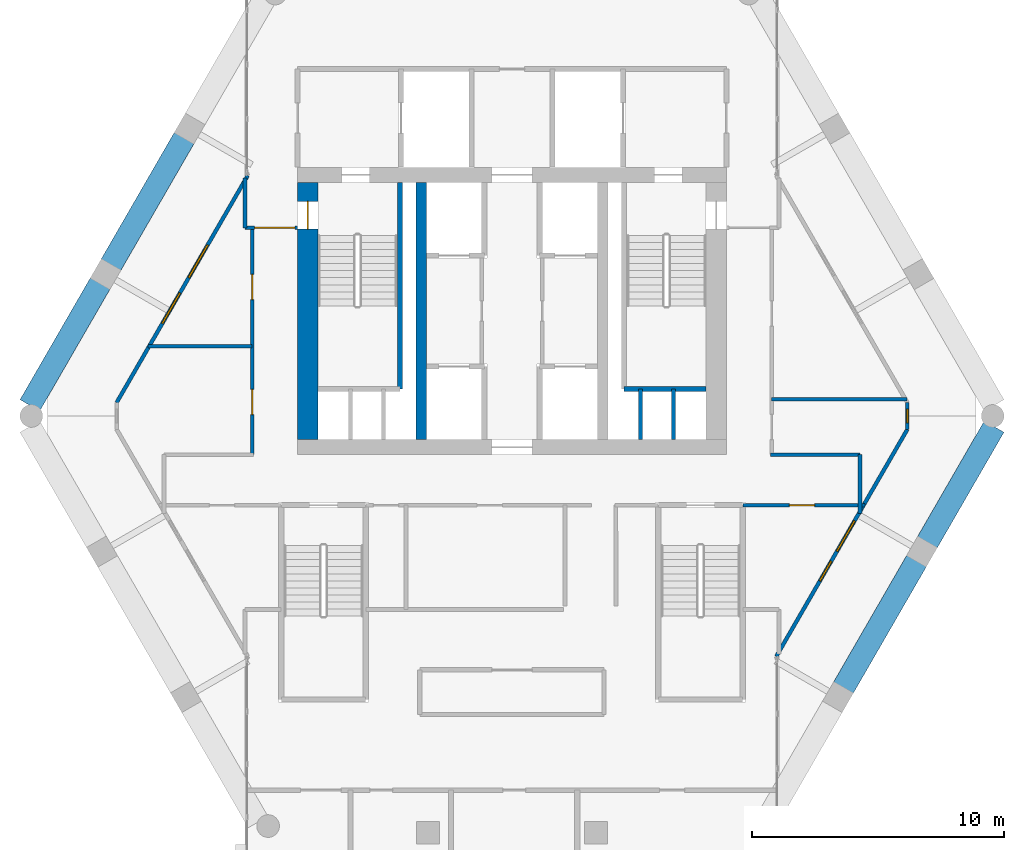
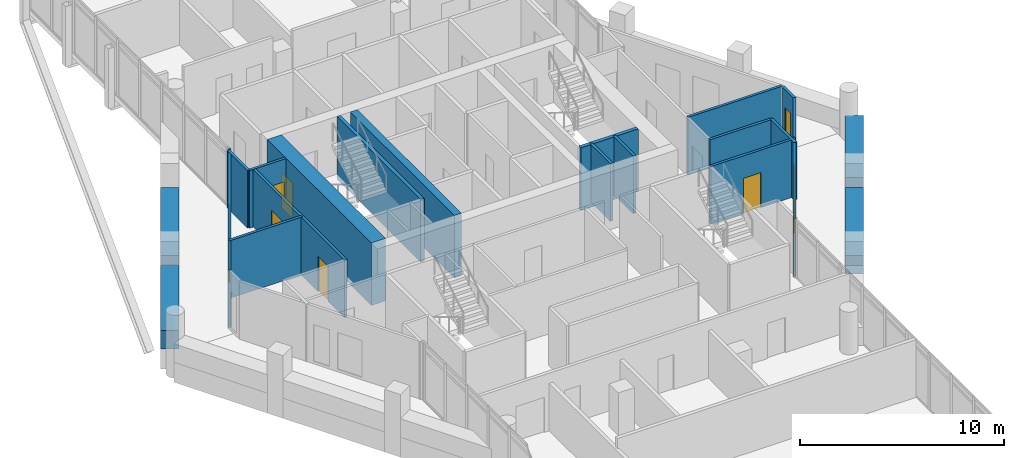
# One storey, part 30 of 34: 21 walls, 5 doors, 5 windows, 10 openings.
"""IFC4 building model written with IfcOpenShell, lengths in metres."""

from ifc_helpers import new_model, si_unit, direction, frame, frame_2d, origin, place, context, subcontext, project, spatial, rectangle, extrude, material, layer, layer_set, type_object, element, fill, save


model = new_model("IFC4")

# Units and contexts
model_context = context("Model", 3, precision=1e-05, world=origin(), true_north=direction((0.0, 1.0)))
body_context = subcontext(model_context, "Body", "Model", "MODEL_VIEW")
ifc_project = project(units=[si_unit("LENGTHUNIT", "METRE"), si_unit("AREAUNIT", "SQUARE_METRE"), si_unit("VOLUMEUNIT", "CUBIC_METRE"), si_unit("PLANEANGLEUNIT", "RADIAN"), si_unit("MASSUNIT", "GRAM", prefix="KILO")], contexts=[model_context])

# Site, building, storey
site_placement = place(None, origin())
site = spatial("IfcSite", under=ifc_project, at=site_placement, CompositionType="ELEMENT")
building_placement = place(site_placement, origin())
building = spatial("IfcBuilding", under=site, at=building_placement, Name="Ostrander Bayou Hotel Tower", CompositionType="ELEMENT")
storey_placement = place(building_placement, frame((0.0, 0.0, 222.0)))
storey = spatial("IfcBuildingStorey", under=building, at=storey_placement, Name="L55", CompositionType="ELEMENT", Elevation=222.0)

# Wall, opening, door
ifc_material_1 = material(Name="Concrete f'c 60 MPa", Category="concrete")
ifc_layer_1 = layer(ifc_material_1, 0.800048828125)
ifc_layer_set_1 = layer_set([ifc_layer_1], Name="CW11 core spine wall 800 mm f'c 60 MPa")
wall_type_1 = type_object("IfcWallType", Name="CW11 core spine wall 800 mm f'c 60 MPa", PredefinedType="SHEAR", material=ifc_layer_set_1)
wall_1_placement = place(storey_placement, frame((-8.10009765625, -1.10009765625, -0.300048828125), z_axis=(0.0, 0.0, 1.0), x_axis=(0.0, 1.0, 0.0)))
wall_1 = element("IfcWall", 1, at=wall_1_placement, inside=storey, type_object=wall_type_1, Name="CW11 L55 W", PredefinedType="SHEAR", context=body_context, shape_type="SweptSolid", body=[
    extrude(rectangle(XDim=10.2001953125, YDim=0.800048828125, at=frame_2d((5.10009765625, 0.0))), origin(), (0.0, 0.0, 1.0), 3.75),
])
opening_1_placement = place(wall_1_placement, frame((8.35009765625, 0.0, 0.0)))
opening_1 = element("IfcOpeningElement", 2, at=opening_1_placement, cuts=wall_1, Name="Opening T55-008", PredefinedType="OPENING", context=body_context, shape_type="SweptSolid", body=[
    extrude(rectangle(XDim=1.10009765625, YDim=2.10009765625, at=frame_2d((0.550048828125, 1.050048828125))), frame((0.0, 0.39990234375, 0.0), z_axis=(0.0, -1.0, 0.0), x_axis=(1.0, 0.0, 0.0)), (0.0, 0.0, 1.0), 0.800048828125),
])
ifc_material_2 = material(Name="Timber door leaf", Category="wood")
door_type_1 = type_object("IfcDoorType", Name="D5 stair door 1100 x 2100 mm, 90 minute", OperationType="SINGLE_SWING_LEFT", PredefinedType="DOOR", material=ifc_material_2)
door_1_placement = place(opening_1_placement, origin())
door_1 = element("IfcDoor", 3, at=door_1_placement, inside=storey, type_object=door_type_1, Name="dr:L55:008", OperationType="SINGLE_SWING_RIGHT", OverallHeight=2.10009765625, OverallWidth=1.10009765625, PredefinedType="DOOR", context=body_context, shape_type="SweptSolid", body=[
    extrude(rectangle(XDim=1.10009765625, YDim=2.10009765625, at=frame_2d((0.550048828125, 1.050048828125))), frame((0.0, 0.02490234375, 0.0), z_axis=(0.0, -1.0, 0.0), x_axis=(1.0, 0.0, 0.0)), (0.0, 0.0, 1.0), 0.050048828125),
])
fill(opening_1, door_1)

# Wall
ifc_material_3 = material(Name="Concrete f'c 60 MPa", Category="concrete")
ifc_layer_2 = layer(ifc_material_3, 0.39990234375)
ifc_layer_set_2 = layer_set([ifc_layer_2], Name="CW12 core bank wall 400 mm f'c 60 MPa")
wall_type_2 = type_object("IfcWallType", Name="CW12 core bank wall 400 mm f'c 60 MPa", PredefinedType="SHEAR", material=ifc_layer_set_2)
wall_2_placement = place(storey_placement, frame((-3.60009765625, -1.10009765625, -0.300048828125), z_axis=(0.0, 0.0, 1.0), x_axis=(0.0, 1.0, 0.0)))
element("IfcWall", 4, at=wall_2_placement, inside=storey, type_object=wall_type_2, Name="CW12 L55 CW", PredefinedType="SHEAR", context=body_context, shape_type="SweptSolid", body=[
    extrude(rectangle(XDim=10.2001953125, YDim=0.39990234375, at=frame_2d((5.10009765625, 0.0))), origin(), (0.0, 0.0, 1.0), 3.75),
])

# Wall, openings, windows
ifc_material_4 = material(Name="Aluminium framed insulated wall", Category="aluminium")
ifc_layer_3 = layer(ifc_material_4, 0.14990234375)
ifc_layer_set_3 = layer_set([ifc_layer_3], Name="GW1 glass-line wall 150 mm")
wall_type_3 = type_object("IfcWallType", Name="GW1 glass-line wall 150 mm", PredefinedType="SOLIDWALL", material=ifc_layer_set_3)
wall_3_placement = place(storey_placement, frame((-10.47900390625, 9.37255859375, 0.0), z_axis=(0.0, 0.0, 1.0), x_axis=(-0.49999822861, -0.866026426494, 0.0)))
wall_3 = element("IfcWall", 5, at=wall_3_placement, inside=storey, type_object=wall_type_3, Name="GW1 L55 NW 1", PredefinedType="SOLIDWALL", context=body_context, shape_type="SweptSolid", body=[
    extrude(rectangle(XDim=10.396484375, YDim=0.14990234375, at=frame_2d((5.1982421875, 0.0))), origin(), (0.0, 0.0, 1.0), 3.449951171875),
])
opening_2_placement = place(wall_3_placement, frame((3.177490234375, 0.0, 0.14990234375)))
opening_2 = element("IfcOpeningElement", 6, at=opening_2_placement, cuts=wall_3, Name="Opening W10", PredefinedType="OPENING", context=body_context, shape_type="SweptSolid", body=[
    extrude(rectangle(XDim=1.5, YDim=2.199951171875, at=frame_2d((0.75, 1.10009765625))), frame((0.0, 0.074951171875, 0.0), z_axis=(0.0, -1.0, 0.0), x_axis=(1.0, 0.0, 0.0)), (0.0, 0.0, 1.0), 0.14990234375),
])
opening_3_placement = place(wall_3_placement, frame((5.37744140625, 0.0, 0.14990234375)))
opening_3 = element("IfcOpeningElement", 7, at=opening_3_placement, cuts=wall_3, Name="Opening W14", PredefinedType="OPENING", context=body_context, shape_type="SweptSolid", body=[
    extrude(rectangle(XDim=1.39990234375, YDim=2.199951171875, at=frame_2d((0.699951171875, 1.10009765625))), frame((0.0, 0.074951171875, 0.0), z_axis=(0.0, -1.0, 0.0), x_axis=(1.0, 0.0, 0.0)), (0.0, 0.0, 1.0), 0.14990234375),
])
ifc_material_5 = material(Name="Aluminium and clear glass", Category="aluminium")
window_type_1 = type_object("IfcWindowType", Name="W10 fixed window 1500 mm, bar storeys, zone 4", PartitioningType="SINGLE_PANEL", PredefinedType="WINDOW", material=ifc_material_5)
window_1_placement = place(opening_2_placement, origin())
window_1 = element("IfcWindow", 8, at=window_1_placement, inside=storey, type_object=window_type_1, Name="W10 L55 NW 3", OverallHeight=2.199951171875, OverallWidth=1.5, PartitioningType="SINGLE_PANEL", PredefinedType="WINDOW", context=body_context, shape_type="SweptSolid", body=[
    extrude(rectangle(XDim=1.5, YDim=2.199951171875, at=frame_2d((0.75, 1.10009765625))), frame((0.0, 0.030029296875, 0.0), z_axis=(0.0, -1.0, 0.0), x_axis=(1.0, 0.0, 0.0)), (0.0, 0.0, 1.0), 0.06005859375),
])
fill(opening_2, window_1)
ifc_material_6 = material(Name="Aluminium and clear glass", Category="aluminium")
window_type_2 = type_object("IfcWindowType", Name="W14 fixed window 1400 mm, bath bay, zone 4", PartitioningType="SINGLE_PANEL", PredefinedType="WINDOW", material=ifc_material_6)
window_2_placement = place(opening_3_placement, origin())
window_2 = element("IfcWindow", 9, at=window_2_placement, inside=storey, type_object=window_type_2, Name="W14 L55 NW 3", OverallHeight=2.199951171875, OverallWidth=1.39990234375, PartitioningType="SINGLE_PANEL", PredefinedType="WINDOW", context=body_context, shape_type="SweptSolid", body=[
    extrude(rectangle(XDim=1.39990234375, YDim=2.199951171875, at=frame_2d((0.699951171875, 1.10009765625))), frame((0.0, 0.030029296875, 0.0), z_axis=(0.0, -1.0, 0.0), x_axis=(1.0, 0.0, 0.0)), (0.0, 0.0, 1.0), 0.06005859375),
])
fill(opening_3, window_2)

wall_4_placement = place(storey_placement, frame((10.47900390625, -9.699951171875, 0.0), z_axis=(0.0, 0.0, 1.0), x_axis=(0.49999822861, 0.866026426494, 0.0)))
wall_4 = element("IfcWall", 10, at=wall_4_placement, inside=storey, type_object=wall_type_3, Name="GW1 L55 SE 1", PredefinedType="SOLIDWALL", context=body_context, shape_type="SweptSolid", body=[
    extrude(rectangle(XDim=10.396484375, YDim=0.14990234375, at=frame_2d((5.1982421875, 0.0))), origin(), (0.0, 0.0, 1.0), 3.449951171875),
])
opening_4_placement = place(wall_4_placement, frame((3.4609375, 0.0, 0.14990234375)))
opening_4 = element("IfcOpeningElement", 11, at=opening_4_placement, cuts=wall_4, Name="Opening W18", PredefinedType="OPENING", context=body_context, shape_type="SweptSolid", body=[
    extrude(rectangle(XDim=0.89990234375, YDim=2.199951171875, at=frame_2d((0.449951171875, 1.10009765625))), frame((0.0, 0.074951171875, 0.0), z_axis=(0.0, -1.0, 0.0), x_axis=(1.0, 0.0, 0.0)), (0.0, 0.0, 1.0), 0.14990234375),
])
opening_5_placement = place(wall_4_placement, frame((4.81396484375, 0.0, 0.14990234375)))
opening_5 = element("IfcOpeningElement", 12, at=opening_5_placement, cuts=wall_4, Name="Opening W14", PredefinedType="OPENING", context=body_context, shape_type="SweptSolid", body=[
    extrude(rectangle(XDim=1.39990234375, YDim=2.199951171875, at=frame_2d((0.699951171875, 1.10009765625))), frame((0.0, 0.074951171875, 0.0), z_axis=(0.0, -1.0, 0.0), x_axis=(1.0, 0.0, 0.0)), (0.0, 0.0, 1.0), 0.14990234375),
])
window_3_placement = place(opening_5_placement, origin())
window_3 = element("IfcWindow", 13, at=window_3_placement, inside=storey, type_object=window_type_2, Name="W14 L55 SE 2", OverallHeight=2.199951171875, OverallWidth=1.39990234375, PartitioningType="SINGLE_PANEL", PredefinedType="WINDOW", context=body_context, shape_type="SweptSolid", body=[
    extrude(rectangle(XDim=1.39990234375, YDim=2.199951171875, at=frame_2d((0.699951171875, 1.10009765625))), frame((0.0, 0.030029296875, 0.0), z_axis=(0.0, -1.0, 0.0), x_axis=(1.0, 0.0, 0.0)), (0.0, 0.0, 1.0), 0.06005859375),
])
fill(opening_5, window_3)
ifc_material_7 = material(Name="Aluminium and clear glass", Category="aluminium")
window_type_3 = type_object("IfcWindowType", Name="W18 window 900 mm, zone 4", PartitioningType="SINGLE_PANEL", PredefinedType="WINDOW", material=ifc_material_7)
window_4_placement = place(opening_4_placement, origin())
window_4 = element("IfcWindow", 14, at=window_4_placement, inside=storey, type_object=window_type_3, Name="W18 L55 SE 2", OverallHeight=2.199951171875, OverallWidth=0.89990234375, PartitioningType="SINGLE_PANEL", PredefinedType="WINDOW", context=body_context, shape_type="SweptSolid", body=[
    extrude(rectangle(XDim=0.89990234375, YDim=2.199951171875, at=frame_2d((0.449951171875, 1.10009765625))), frame((0.0, 0.030029296875, 0.0), z_axis=(0.0, -1.0, 0.0), x_axis=(1.0, 0.0, 0.0)), (0.0, 0.0, 1.0), 0.06005859375),
])
fill(opening_4, window_4)

# Wall, opening, window
wall_5_placement = place(storey_placement, frame((15.67724609375, -0.6962890625, 0.0), z_axis=(0.0, 0.0, 1.0), x_axis=(0.0, 1.0, 0.0)))
wall_5 = element("IfcWall", 15, at=wall_5_placement, inside=storey, type_object=wall_type_3, Name="GW1 L55 corner 5", PredefinedType="SOLIDWALL", context=body_context, shape_type="SweptSolid", body=[
    extrude(rectangle(XDim=1.065185546875, YDim=0.14990234375, at=frame_2d((0.53271484375, 0.0))), origin(), (0.0, 0.0, 1.0), 3.449951171875),
])
opening_6_placement = place(wall_5_placement, frame((0.257568359375, 0.0, 0.14990234375)))
opening_6 = element("IfcOpeningElement", 16, at=opening_6_placement, cuts=wall_5, Name="Opening W19", PredefinedType="OPENING", context=body_context, shape_type="SweptSolid", body=[
    extrude(rectangle(XDim=0.550048828125, YDim=2.199951171875, at=frame_2d((0.27490234375, 1.10009765625))), frame((0.0, 0.074951171875, 0.0), z_axis=(0.0, -1.0, 0.0), x_axis=(1.0, 0.0, 0.0)), (0.0, 0.0, 1.0), 0.14990234375),
])
ifc_material_8 = material(Name="Aluminium and clear glass", Category="aluminium")
window_type_4 = type_object("IfcWindowType", Name="W19 corner window 550 mm", PartitioningType="SINGLE_PANEL", PredefinedType="WINDOW", material=ifc_material_8)
window_5_placement = place(opening_6_placement, origin())
window_5 = element("IfcWindow", 17, at=window_5_placement, inside=storey, type_object=window_type_4, Name="W19 L55 corner 5", OverallHeight=2.199951171875, OverallWidth=0.550048828125, PartitioningType="SINGLE_PANEL", PredefinedType="WINDOW", context=body_context, shape_type="SweptSolid", body=[
    extrude(rectangle(XDim=0.550048828125, YDim=2.199951171875, at=frame_2d((0.27490234375, 1.10009765625))), frame((0.0, 0.030029296875, 0.0), z_axis=(0.0, -1.0, 0.0), x_axis=(1.0, 0.0, 0.0)), (0.0, 0.0, 1.0), 0.06005859375),
])
fill(opening_6, window_5)

# Walls
ifc_material_9 = material(Name="Concrete f'c 40 MPa", Category="concrete")
ifc_layer_4 = layer(ifc_material_9, 0.89990234375)
ifc_layer_set_4 = layer_set([ifc_layer_4], Name="PA1 stone-faced parapet 900 mm")
wall_type_4 = type_object("IfcWallType", Name="PA1 stone-faced parapet 900 mm", PredefinedType="PARAPET", material=ifc_layer_set_4)
wall_6_placement = place(storey_placement, frame((-12.99609375, 10.86279296875, 0.0), z_axis=(0.0, 0.0, 1.0), x_axis=(-0.499997265274, -0.866026982673, 0.0)))
element("IfcWall", 18, at=wall_6_placement, inside=storey, type_object=wall_type_4, Name="PA1 L55 NW-2", PredefinedType="PARAPET", context=body_context, shape_type="SweptSolid", body=[
    extrude(rectangle(XDim=5.81884765625, YDim=0.89990234375, at=frame_2d((2.909423828125, 0.0))), origin(), (0.0, 0.0, 1.0), 1.10009765625),
])
wall_7_placement = place(storey_placement, frame((-16.325439453125, 5.09619140625, 0.0), z_axis=(0.0, 0.0, 1.0), x_axis=(-0.500007442593, -0.866021106759, 0.0)))
element("IfcWall", 19, at=wall_7_placement, inside=storey, type_object=wall_type_4, Name="PA1 L55 NW-3", PredefinedType="PARAPET", context=body_context, shape_type="SweptSolid", body=[
    extrude(rectangle(XDim=5.58642578125, YDim=0.89990234375, at=frame_2d((2.793212890625, 0.0))), origin(), (0.0, 0.0, 1.0), 1.10009765625),
])
ifc_material_10 = material(Name="Limestone masonry", Category="masonry")
ifc_layer_5 = layer(ifc_material_10, 0.89990234375)
ifc_layer_set_5 = layer_set([ifc_layer_5], Name="PA2 limestone parapet 900 mm")
wall_type_5 = type_object("IfcWallType", Name="PA2 limestone parapet 900 mm", PredefinedType="PARAPET", material=ifc_layer_set_5)
wall_8_placement = place(storey_placement, frame((13.1376953125, -10.944580078125, 0.0), z_axis=(0.0, 0.0, 1.0), x_axis=(0.500015433515, 0.866016493057, 0.0)))
element("IfcWall", 20, at=wall_8_placement, inside=storey, type_object=wall_type_5, Name="PA2 L55 SE-2", PredefinedType="PARAPET", context=body_context, shape_type="SweptSolid", body=[
    extrude(rectangle(XDim=5.818603515625, YDim=0.89990234375, at=frame_2d((2.9091796875, 0.0))), origin(), (0.0, 0.0, 1.0), 1.10009765625),
])
wall_9_placement = place(storey_placement, frame((16.46728515625, -5.177978515625, 0.0), z_axis=(0.0, 0.0, 1.0), x_axis=(0.500001430823, 0.866024577697, 0.0)))
element("IfcWall", 21, at=wall_9_placement, inside=storey, type_object=wall_type_5, Name="PA2 L55 SE-3", PredefinedType="PARAPET", context=body_context, shape_type="SweptSolid", body=[
    extrude(rectangle(XDim=5.302734375, YDim=0.89990234375, at=frame_2d((2.6513671875, 0.0))), origin(), (0.0, 0.0, 1.0), 1.10009765625),
])
ifc_material_11 = material(Name="Gypsum board partition", Category="finish")
ifc_layer_6 = layer(ifc_material_11, 0.14990234375)
ifc_layer_set_6 = layer_set([ifc_layer_6], Name="PT7 riser wall 150 mm, 2 hour")
wall_type_6 = type_object("IfcWallType", Name="PT7 riser wall 150 mm, 2 hour", PredefinedType="PARTITIONING", material=ifc_layer_set_6)
for number, where, z_axis, x_axis, name in (
    (22, (5.10009765625, -1.10009765625, 0.0), (0.0, 0.0, 1.0), (0.0, 1.0, 0.0), "cs:L55:015"),
    (23, (6.39990234375, -1.10009765625, 0.0), (0.0, 0.0, 1.0), (0.0, 1.0, 0.0), "cs:L55:016"),
):
    element("IfcWall", number, at=place(storey_placement, frame(where, z_axis=z_axis, x_axis=x_axis)), inside=storey, type_object=wall_type_6, Name=name, PredefinedType="PARTITIONING", context=body_context, shape_type="SweptSolid", body=[
        extrude(rectangle(XDim=2.0, YDim=0.14990234375, at=frame_2d((1.0, 0.0))), origin(), (0.0, 0.0, 1.0), 3.449951171875),
    ])

# Wall, opening, door
ifc_material_12 = material(Name="Gypsum board partition", Category="finish")
ifc_layer_7 = layer(ifc_material_12, 0.14990234375)
ifc_layer_set_7 = layer_set([ifc_layer_7], Name="PT8 service band wall 150 mm, 1 hour")
wall_type_7 = type_object("IfcWallType", Name="PT8 service band wall 150 mm, 1 hour", PredefinedType="PARTITIONING", material=ifc_layer_set_7)
wall_10_placement = place(storey_placement, frame((9.159912109375, -3.699951171875, 0.0), z_axis=(0.0, 0.0, 1.0), x_axis=(1.0, 0.0, 0.0)))
wall_10 = element("IfcWall", 24, at=wall_10_placement, inside=storey, type_object=wall_type_7, Name="gw:L55:007", PredefinedType="PARTITIONING", context=body_context, shape_type="SweptSolid", body=[
    extrude(rectangle(XDim=4.835205078125, YDim=0.14990234375, at=frame_2d((2.41748046875, 0.0))), origin(), (0.0, 0.0, 1.0), 3.449951171875),
])
opening_7_placement = place(wall_10_placement, frame((1.840087890625, 0.0, 0.0)))
opening_7 = element("IfcOpeningElement", 25, at=opening_7_placement, cuts=wall_10, Name="Opening T55-403", PredefinedType="OPENING", context=body_context, shape_type="SweptSolid", body=[
    extrude(rectangle(XDim=1.0, YDim=2.10009765625, at=frame_2d((0.5, 1.050048828125))), frame((0.0, 0.074951171875, 0.0), z_axis=(0.0, -1.0, 0.0), x_axis=(1.0, 0.0, 0.0)), (0.0, 0.0, 1.0), 0.14990234375),
])
ifc_material_13 = material(Name="Timber door leaf", Category="wood")
door_type_2 = type_object("IfcDoorType", Name="D9 service door 1000 x 2100 mm, 30 minute", OperationType="SINGLE_SWING_LEFT", PredefinedType="DOOR", material=ifc_material_13)
door_2_placement = place(opening_7_placement, origin())
door_2 = element("IfcDoor", 26, at=door_2_placement, inside=storey, type_object=door_type_2, Name="dr:L55:403", OperationType="SINGLE_SWING_LEFT", OverallHeight=2.10009765625, OverallWidth=1.0, PredefinedType="DOOR", context=body_context, shape_type="SweptSolid", body=[
    extrude(rectangle(XDim=1.0, YDim=2.10009765625, at=frame_2d((0.5, 1.050048828125))), frame((0.0, 0.02490234375, 0.0), z_axis=(0.0, -1.0, 0.0), x_axis=(1.0, 0.0, 0.0)), (0.0, 0.0, 1.0), 0.050048828125),
])
fill(opening_7, door_2)

# Walls
wall_11_placement = place(storey_placement, frame((10.260009765625, -1.699951171875, 0.0), z_axis=(0.0, 0.0, 1.0), x_axis=(1.0, 0.0, 0.0)))
element("IfcWall", 27, at=wall_11_placement, inside=storey, type_object=wall_type_7, Name="gw:L55:009", PredefinedType="PARTITIONING", context=body_context, shape_type="SweptSolid", body=[
    extrude(rectangle(XDim=3.5400390625, YDim=0.14990234375, at=frame_2d((1.77001953125, 0.0))), origin(), (0.0, 0.0, 1.0), 3.449951171875),
])
wall_12_placement = place(storey_placement, frame((10.300048828125, 0.5, 0.0), z_axis=(0.0, 0.0, 1.0), x_axis=(1.0, 0.0, 0.0)))
element("IfcWall", 28, at=wall_12_placement, inside=storey, type_object=wall_type_7, Name="gw:L55:010", PredefinedType="PARTITIONING", context=body_context, shape_type="SweptSolid", body=[
    extrude(rectangle(XDim=5.35400390625, YDim=0.14990234375, at=frame_2d((2.677001953125, 0.0))), origin(), (0.0, 0.0, 1.0), 3.449951171875),
])
wall_13_placement = place(storey_placement, frame((-14.44091796875, 2.60009765625, 0.0), z_axis=(0.0, 0.0, 1.0), x_axis=(1.0, 0.0, 0.0)))
element("IfcWall", 29, at=wall_13_placement, inside=storey, type_object=wall_type_7, Name="gw:L55:011", PredefinedType="PARTITIONING", context=body_context, shape_type="SweptSolid", body=[
    extrude(rectangle(XDim=4.140869140625, YDim=0.14990234375, at=frame_2d((2.0703125, 0.0))), origin(), (0.0, 0.0, 1.0), 3.449951171875),
])

# Wall, opening, door
wall_14_placement = place(storey_placement, frame((-10.5849609375, 7.300048828125, 0.0), z_axis=(0.0, 0.0, 1.0), x_axis=(1.0, 0.0, 0.0)))
wall_14 = element("IfcWall", 30, at=wall_14_placement, inside=storey, type_object=wall_type_7, Name="gw:L55:012", PredefinedType="PARTITIONING", context=body_context, shape_type="SweptSolid", body=[
    extrude(rectangle(XDim=2.074951171875, YDim=0.14990234375, at=frame_2d((1.03759765625, 0.0))), origin(), (0.0, 0.0, 1.0), 3.449951171875),
])
opening_8_placement = place(wall_14_placement, frame((0.375, 0.0, 0.0)))
opening_8 = element("IfcOpeningElement", 31, at=opening_8_placement, cuts=wall_14, Name="Opening T55-1212", PredefinedType="OPENING", context=body_context, shape_type="SweptSolid", body=[
    extrude(rectangle(XDim=1.60009765625, YDim=2.10009765625, at=frame_2d((0.800048828125, 1.050048828125))), frame((0.0, 0.074951171875, 0.0), z_axis=(0.0, -1.0, 0.0), x_axis=(1.0, 0.0, 0.0)), (0.0, 0.0, 1.0), 0.14990234375),
])
ifc_material_14 = material(Name="Timber door leaf", Category="wood")
door_type_3 = type_object("IfcDoorType", Name="D13 double door 1600 x 2100 mm, 1 hour", OperationType="SINGLE_SWING_LEFT", PredefinedType="DOOR", material=ifc_material_14)
door_3_placement = place(opening_8_placement, origin())
door_3 = element("IfcDoor", 32, at=door_3_placement, inside=storey, type_object=door_type_3, Name="dr:L55:1212", OperationType="DOUBLE_DOOR_SINGLE_SWING", OverallHeight=2.10009765625, OverallWidth=1.60009765625, PredefinedType="DOOR", context=body_context, shape_type="SweptSolid", body=[
    extrude(rectangle(XDim=1.60009765625, YDim=2.10009765625, at=frame_2d((0.800048828125, 1.050048828125))), frame((0.0, 0.02490234375, 0.0), z_axis=(0.0, -1.0, 0.0), x_axis=(1.0, 0.0, 0.0)), (0.0, 0.0, 1.0), 0.050048828125),
])
fill(opening_8, door_3)

# Wall
wall_15_placement = place(storey_placement, frame((13.800048828125, -4.0380859375, 0.0), z_axis=(0.0, 0.0, 1.0), x_axis=(0.0, 1.0, 0.0)))
element("IfcWall", 33, at=wall_15_placement, inside=storey, type_object=wall_type_7, Name="gw:L55:014", PredefinedType="PARTITIONING", context=body_context, shape_type="SweptSolid", body=[
    extrude(rectangle(XDim=2.338134765625, YDim=0.14990234375, at=frame_2d((1.1689453125, 0.0))), origin(), (0.0, 0.0, 1.0), 3.449951171875),
])

# Wall, openings, doors
wall_16_placement = place(storey_placement, frame((-10.300048828125, -1.699951171875, 0.0), z_axis=(0.0, 0.0, 1.0), x_axis=(0.0, 1.0, 0.0)))
wall_16 = element("IfcWall", 34, at=wall_16_placement, inside=storey, type_object=wall_type_7, Name="gw:L55:020", PredefinedType="PARTITIONING", context=body_context, shape_type="SweptSolid", body=[
    extrude(rectangle(XDim=9.0, YDim=0.14990234375, at=frame_2d((4.5, 0.0))), origin(), (0.0, 0.0, 1.0), 3.449951171875),
])
opening_9_placement = place(wall_16_placement, frame((1.587890625, 0.0, 0.0)))
opening_9 = element("IfcOpeningElement", 35, at=opening_9_placement, cuts=wall_16, Name="Opening T55-404", PredefinedType="OPENING", context=body_context, shape_type="SweptSolid", body=[
    extrude(rectangle(XDim=1.0, YDim=2.10009765625, at=frame_2d((0.5, 1.050048828125))), frame((0.0, 0.074951171875, 0.0), z_axis=(0.0, -1.0, 0.0), x_axis=(1.0, 0.0, 0.0)), (0.0, 0.0, 1.0), 0.14990234375),
])
opening_10_placement = place(wall_16_placement, frame((6.14990234375, 0.0, 0.0)))
opening_10 = element("IfcOpeningElement", 36, at=opening_10_placement, cuts=wall_16, Name="Opening T55-405", PredefinedType="OPENING", context=body_context, shape_type="SweptSolid", body=[
    extrude(rectangle(XDim=1.0, YDim=2.10009765625, at=frame_2d((0.5, 1.050048828125))), frame((0.0, 0.074951171875, 0.0), z_axis=(0.0, -1.0, 0.0), x_axis=(1.0, 0.0, 0.0)), (0.0, 0.0, 1.0), 0.14990234375),
])
ifc_material_15 = material(Name="Timber door leaf", Category="wood")
door_type_4 = type_object("IfcDoorType", Name="D15 room door 1000 x 2100 mm", OperationType="SINGLE_SWING_LEFT", PredefinedType="DOOR", material=ifc_material_15)
door_4_placement = place(opening_9_placement, origin())
door_4 = element("IfcDoor", 37, at=door_4_placement, inside=storey, type_object=door_type_4, Name="dr:L55:404", OperationType="SINGLE_SWING_RIGHT", OverallHeight=2.10009765625, OverallWidth=1.0, PredefinedType="DOOR", context=body_context, shape_type="SweptSolid", body=[
    extrude(rectangle(XDim=1.0, YDim=2.10009765625, at=frame_2d((0.5, 1.050048828125))), frame((0.0, 0.02490234375, 0.0), z_axis=(0.0, -1.0, 0.0), x_axis=(1.0, 0.0, 0.0)), (0.0, 0.0, 1.0), 0.050048828125),
])
fill(opening_9, door_4)
door_5_placement = place(opening_10_placement, origin())
door_5 = element("IfcDoor", 38, at=door_5_placement, inside=storey, type_object=door_type_2, Name="dr:L55:405", OperationType="SINGLE_SWING_LEFT", OverallHeight=2.10009765625, OverallWidth=1.0, PredefinedType="DOOR", context=body_context, shape_type="SweptSolid", body=[
    extrude(rectangle(XDim=1.0, YDim=2.10009765625, at=frame_2d((0.5, 1.050048828125))), frame((0.0, 0.02490234375, 0.0), z_axis=(0.0, -1.0, 0.0), x_axis=(1.0, 0.0, 0.0)), (0.0, 0.0, 1.0), 0.050048828125),
])
fill(opening_10, door_5)

# Walls
wall_17_placement = place(storey_placement, frame((-10.5849609375, 7.300048828125, 0.0), z_axis=(0.0, 0.0, 1.0), x_axis=(0.0, 1.0, 0.0)))
element("IfcWall", 39, at=wall_17_placement, inside=storey, type_object=wall_type_7, Name="gw:L55:022", PredefinedType="PARTITIONING", context=body_context, shape_type="SweptSolid", body=[
    extrude(rectangle(XDim=1.97900390625, YDim=0.14990234375, at=frame_2d((0.989501953125, 0.0))), origin(), (0.0, 0.0, 1.0), 3.449951171875),
])
ifc_material_16 = material(Name="Concrete f'c 45 MPa", Category="concrete")
ifc_layer_8 = layer(ifc_material_16, 0.199951171875)
ifc_layer_set_8 = layer_set([ifc_layer_8], Name="SW5 stair enclosure wall 200 mm f'c 45 MPa")
wall_type_8 = type_object("IfcWallType", Name="SW5 stair enclosure wall 200 mm f'c 45 MPa", PredefinedType="SOLIDWALL", material=ifc_layer_set_8)
wall_18_placement = place(storey_placement, frame((-4.449951171875, 0.89990234375, -0.300048828125), z_axis=(0.0, 0.0, 1.0), x_axis=(0.0, 1.0, 0.0)))
element("IfcWall", 40, at=wall_18_placement, inside=storey, type_object=wall_type_8, Name="cs:L55:009", PredefinedType="SOLIDWALL", context=body_context, shape_type="SweptSolid", body=[
    extrude(rectangle(XDim=8.2001953125, YDim=0.199951171875, at=frame_2d((4.10009765625, 0.0))), origin(), (0.0, 0.0, 1.0), 3.75),
])
wall_19_placement = place(storey_placement, frame((4.449951171875, 0.89990234375, -0.300048828125), z_axis=(0.0, 0.0, 1.0), x_axis=(1.0, 0.0, 0.0)))
element("IfcWall", 41, at=wall_19_placement, inside=storey, type_object=wall_type_8, Name="cs:L55:014", PredefinedType="SOLIDWALL", context=body_context, shape_type="SweptSolid", body=[
    extrude(rectangle(XDim=3.25, YDim=0.199951171875, at=frame_2d((1.625, 0.0))), origin(), (0.0, 0.0, 1.0), 3.75),
])

save(model, "model.ifc")
